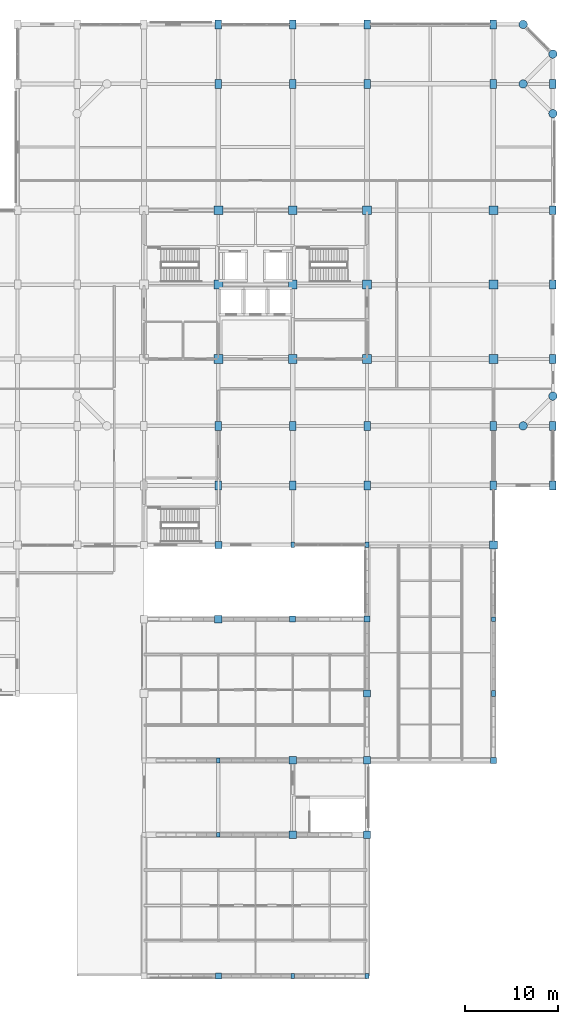
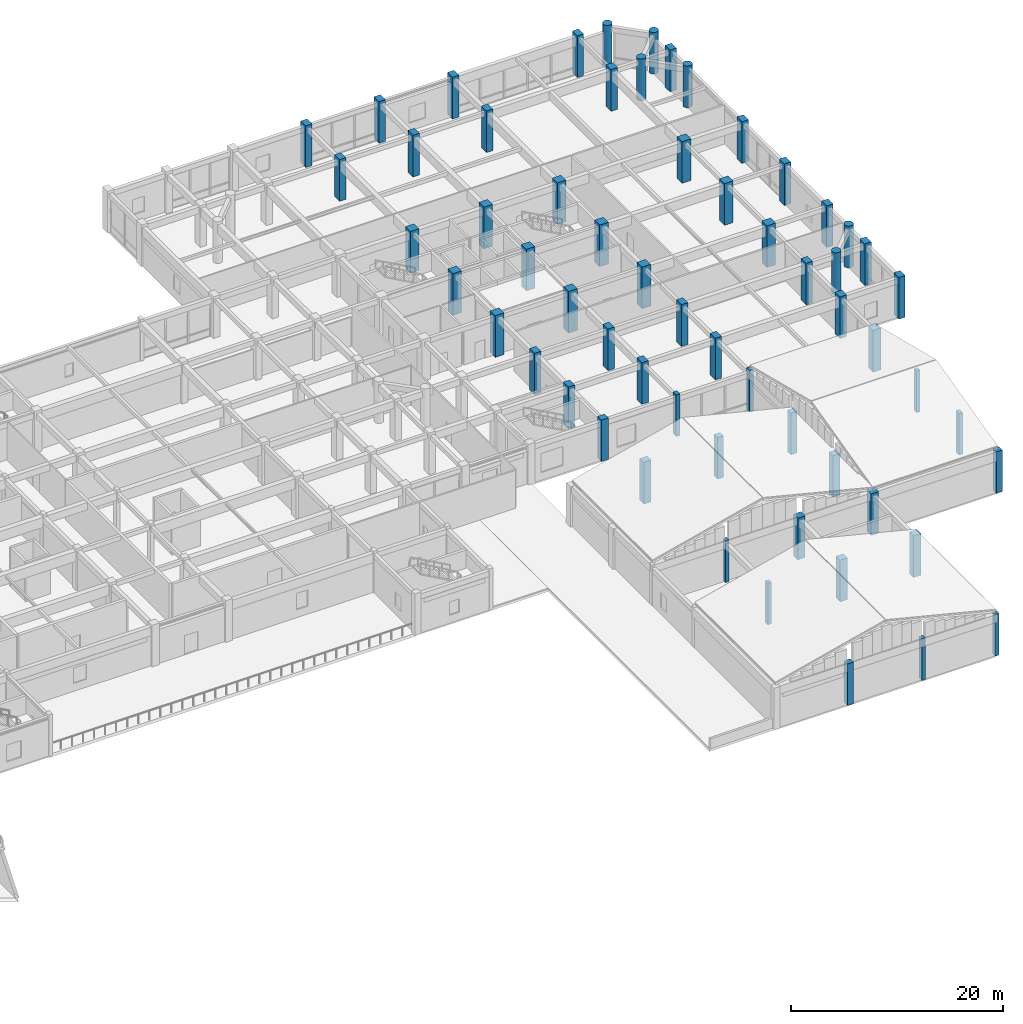
# One storey, part 2 of 61: 60 columns.
"""IFC4 building model written with IfcOpenShell, lengths in metres."""

from ifc_helpers import new_model, si_unit, direction, frame, origin, origin_2d, place, context, subcontext, project, spatial, rectangle, circle, extrude, material, material_profile, profile_set, type_object, element, save


model = new_model("IFC4")

# Units and contexts
model_context = context("Model", 3, precision=1e-05, world=origin(), true_north=direction((0.0, 1.0)))
body_context = subcontext(model_context, "Body", "Model", "MODEL_VIEW")
ifc_project = project(units=[si_unit("LENGTHUNIT", "METRE"), si_unit("AREAUNIT", "SQUARE_METRE"), si_unit("VOLUMEUNIT", "CUBIC_METRE"), si_unit("PLANEANGLEUNIT", "RADIAN"), si_unit("MASSUNIT", "GRAM", prefix="KILO")], contexts=[model_context])

# Site, building, storey
site_placement = place(None, origin())
site = spatial("IfcSite", under=ifc_project, at=site_placement, CompositionType="ELEMENT")
building_placement = place(site_placement, origin())
building = spatial("IfcBuilding", under=site, at=building_placement, Name="Vellmiral Cinema and Media Centre", CompositionType="ELEMENT")
storey_placement = place(building_placement, frame((0.0, 0.0, 10.800048828125)))
storey = spatial("IfcBuildingStorey", under=building, at=storey_placement, Name="L02", CompositionType="ELEMENT", Elevation=10.800048828125)

# Columns
ifc_material_1 = material(Name="Concrete C40/50", Category="concrete")
ifc_material_profile_1 = material_profile(ifc_material_1, rectangle(XDim=0.39990234375, YDim=0.5, at=origin_2d()), Name="RC 400x500")
ifc_profile_set_1 = profile_set([ifc_material_profile_1], Name="Concrete C40/50")
column_type_1 = type_object("IfcColumnType", Name="COL-RC-400x500", PredefinedType="COLUMN", material=ifc_profile_set_1)
for number, where, z_axis, x_axis, name in (
    (1, (132.0, 28.0, 0.0), (0.0, 0.0, 1.0), (1.0, 0.0, 0.0), "Column L02-134"),
    (2, (132.0, 36.0, 0.0), (0.0, 0.0, 1.0), (1.0, 0.0, 0.0), "Column L02-135"),
    (3, (140.0, 12.800048828125, 0.0), (0.0, 0.0, 1.0), (1.0, 0.0, 0.0), "Column L02-145"),
    (4, (148.0, 12.800048828125, 0.0), (0.0, 0.0, 1.0), (1.0, 0.0, 0.0), "Column L02-157"),
    (5, (161.60009765625, 51.199951171875, 0.0), (0.0, 0.0, 1.0), (1.0, 0.0, 0.0), "Column L02-172"),
):
    element("IfcColumn", number, at=place(storey_placement, frame(where, z_axis=z_axis, x_axis=x_axis)), inside=storey, type_object=column_type_1, Name=name, PredefinedType="COLUMN", context=body_context, shape_type="SweptSolid", body=[
        extrude(rectangle(XDim=0.39990234375, YDim=0.5, at=origin_2d()), origin(), (0.0, 0.0, 1.0), 4.800048828125),
    ])
ifc_material_2 = material(Name="Concrete C40/50", Category="concrete")
ifc_material_profile_2 = material_profile(ifc_material_2, rectangle(XDim=0.39990234375, YDim=0.60009765625, at=origin_2d()), Name="RC 400x600")
ifc_profile_set_2 = profile_set([ifc_material_profile_2], Name="Concrete C40/50")
column_type_2 = type_object("IfcColumnType", Name="COL-RC-400x600", PredefinedType="COLUMN", material=ifc_profile_set_2)
for number, where, z_axis, x_axis, name in (
    (6, (140.0, 59.199951171875, 0.0), (0.0, 0.0, 1.0), (1.0, 0.0, 0.0), "Column L02-149"),
    (7, (148.0, 59.199951171875, 0.0), (0.0, 0.0, 1.0), (1.0, 0.0, 0.0), "Column L02-162"),
    (8, (161.60009765625, 43.199951171875, 0.0), (0.0, 0.0, 1.0), (1.0, 0.0, 0.0), "Column L02-171"),
):
    element("IfcColumn", number, at=place(storey_placement, frame(where, z_axis=z_axis, x_axis=x_axis)), inside=storey, type_object=column_type_2, Name=name, PredefinedType="COLUMN", context=body_context, shape_type="SweptSolid", body=[
        extrude(rectangle(XDim=0.39990234375, YDim=0.60009765625, at=origin_2d()), origin(), (0.0, 0.0, 1.0), 4.800048828125),
    ])
ifc_material_3 = material(Name="Concrete C40/50", Category="concrete")
ifc_material_profile_3 = material_profile(ifc_material_3, rectangle(XDim=0.64990234375, YDim=0.64990234375, at=origin_2d()), Name="RC 650x650")
ifc_profile_set_3 = profile_set([ifc_material_profile_3], Name="Concrete C40/50")
column_type_3 = type_object("IfcColumnType", Name="COL-RC-650x650", PredefinedType="COLUMN", material=ifc_profile_set_3)
for number, where, z_axis, x_axis, name in (
    (9, (132.0, 12.800048828125, 0.0), (0.0, 0.0, 1.0), (1.0, 0.0, 0.0), "Column L02-133"),
    (10, (140.0, 51.199951171875, 0.0), (0.0, 0.0, 1.0), (1.0, 0.0, 0.0), "Column L02-148"),
    (11, (148.0, 51.199951171875, 0.0), (0.0, 0.0, 1.0), (1.0, 0.0, 0.0), "Column L02-161"),
    (12, (161.60009765625, 36.0, 0.0), (0.0, 0.0, 1.0), (1.0, 0.0, 0.0), "Column L02-170"),
):
    element("IfcColumn", number, at=place(storey_placement, frame(where, z_axis=z_axis, x_axis=x_axis)), inside=storey, type_object=column_type_3, Name=name, PredefinedType="COLUMN", context=body_context, shape_type="SweptSolid", body=[
        extrude(rectangle(XDim=0.64990234375, YDim=0.64990234375, at=origin_2d()), origin(), (0.0, 0.0, 1.0), 4.800048828125),
    ])
ifc_material_4 = material(Name="Concrete C40/50", Category="concrete")
ifc_material_profile_4 = material_profile(ifc_material_4, rectangle(XDim=0.699951171875, YDim=0.949951171875, at=origin_2d()), Name="RC 700x950")
ifc_profile_set_4 = profile_set([ifc_material_profile_4], Name="Concrete C40/50")
column_type_4 = type_object("IfcColumnType", Name="COL-RC-700x950", PredefinedType="COLUMN", material=ifc_profile_set_4)
for number, where, z_axis, x_axis, name in (
    (13, (132.0, 65.60009765625, 0.0), (0.0, 0.0, 1.0), (1.0, 0.0, 0.0), "Column L02-138"),
    (14, (132.0, 72.0, 0.0), (0.0, 0.0, 1.0), (1.0, 0.0, 0.0), "Column L02-139"),
    (15, (132.0, 108.800048828125, 0.0), (0.0, 0.0, 1.0), (1.0, 0.0, 0.0), "Column L02-143"),
    (16, (132.0, 115.199951171875, 0.0), (0.0, 0.0, 1.0), (1.0, 0.0, 0.0), "Column L02-144"),
    (17, (140.0, 65.60009765625, 0.0), (0.0, 0.0, 1.0), (1.0, 0.0, 0.0), "Column L02-150"),
    (18, (140.0, 72.0, 0.0), (0.0, 0.0, 1.0), (1.0, 0.0, 0.0), "Column L02-151"),
    (19, (140.0, 108.800048828125, 0.0), (0.0, 0.0, 1.0), (1.0, 0.0, 0.0), "Column L02-155"),
    (20, (140.0, 115.199951171875, 0.0), (0.0, 0.0, 1.0), (1.0, 0.0, 0.0), "Column L02-156"),
    (21, (148.0, 65.60009765625, 0.0), (0.0, 0.0, 1.0), (1.0, 0.0, 0.0), "Column L02-163"),
    (22, (148.0, 72.0, 0.0), (0.0, 0.0, 1.0), (1.0, 0.0, 0.0), "Column L02-164"),
    (23, (148.0, 108.800048828125, 0.0), (0.0, 0.0, 1.0), (1.0, 0.0, 0.0), "Column L02-168"),
    (24, (148.0, 115.199951171875, 0.0), (0.0, 0.0, 1.0), (1.0, 0.0, 0.0), "Column L02-169"),
    (25, (161.60009765625, 65.60009765625, 0.0), (0.0, 0.0, 1.0), (1.0, 0.0, 0.0), "Column L02-174"),
    (26, (161.60009765625, 72.0, 0.0), (0.0, 0.0, 1.0), (1.0, 0.0, 0.0), "Column L02-175"),
    (27, (161.60009765625, 108.800048828125, 0.0), (0.0, 0.0, 1.0), (1.0, 0.0, 0.0), "Column L02-179"),
    (28, (161.60009765625, 115.199951171875, 0.0), (0.0, 0.0, 1.0), (1.0, 0.0, 0.0), "Column L02-180"),
    (29, (168.0, 65.60009765625, 0.0), (0.0, 0.0, 1.0), (1.0, 0.0, 0.0), "Column L02-184"),
    (30, (168.0, 72.0, 0.0), (0.0, 0.0, 1.0), (1.0, 0.0, 0.0), "Column L02-185"),
    (31, (168.0, 79.199951171875, 0.0), (0.0, 0.0, 1.0), (1.0, 0.0, 0.0), "Column L02-187"),
    (32, (168.0, 87.199951171875, 0.0), (0.0, 0.0, 1.0), (1.0, 0.0, 0.0), "Column L02-188"),
    (33, (168.0, 95.199951171875, 0.0), (0.0, 0.0, 1.0), (1.0, 0.0, 0.0), "Column L02-189"),
    (34, (168.0, 108.800048828125, 0.0), (0.0, 0.0, 1.0), (1.0, 0.0, 0.0), "Column L02-191"),
):
    element("IfcColumn", number, at=place(storey_placement, frame(where, z_axis=z_axis, x_axis=x_axis)), inside=storey, type_object=column_type_4, Name=name, PredefinedType="COLUMN", context=body_context, shape_type="SweptSolid", body=[
        extrude(rectangle(XDim=0.699951171875, YDim=0.949951171875, at=origin_2d()), origin(), (0.0, 0.0, 1.0), 4.800048828125),
    ])
ifc_material_5 = material(Name="Concrete C40/50", Category="concrete")
ifc_material_profile_5 = material_profile(ifc_material_5, rectangle(XDim=0.75, YDim=0.75, at=origin_2d()), Name="RC 750x750")
ifc_profile_set_5 = profile_set([ifc_material_profile_5], Name="Concrete C40/50")
column_type_5 = type_object("IfcColumnType", Name="COL-RC-750x750", PredefinedType="COLUMN", material=ifc_profile_set_5)
for number, where, z_axis, x_axis, name in (
    (35, (132.0, 59.199951171875, 0.0), (0.0, 0.0, 1.0), (1.0, 0.0, 0.0), "Column L02-137"),
    (36, (148.0, 43.199951171875, 0.0), (0.0, 0.0, 1.0), (1.0, 0.0, 0.0), "Column L02-160"),
):
    element("IfcColumn", number, at=place(storey_placement, frame(where, z_axis=z_axis, x_axis=x_axis)), inside=storey, type_object=column_type_5, Name=name, PredefinedType="COLUMN", context=body_context, shape_type="SweptSolid", body=[
        extrude(rectangle(XDim=0.75, YDim=0.75, at=origin_2d()), origin(), (0.0, 0.0, 1.0), 4.800048828125),
    ])
ifc_material_6 = material(Name="Concrete C40/50", Category="concrete")
ifc_material_profile_6 = material_profile(ifc_material_6, rectangle(XDim=0.800048828125, YDim=0.800048828125, at=origin_2d()), Name="RC 800x800")
ifc_profile_set_6 = profile_set([ifc_material_profile_6], Name="Concrete C40/50")
column_type_6 = type_object("IfcColumnType", Name="COL-RC-800x800", PredefinedType="COLUMN", material=ifc_profile_set_6)
for number, where, z_axis, x_axis, name in (
    (37, (132.0, 51.199951171875, 0.0), (0.0, 0.0, 1.0), (1.0, 0.0, 0.0), "Column L02-136"),
    (38, (140.0, 28.0, 0.0), (0.0, 0.0, 1.0), (1.0, 0.0, 0.0), "Column L02-146"),
    (39, (140.0, 36.0, 0.0), (0.0, 0.0, 1.0), (1.0, 0.0, 0.0), "Column L02-147"),
    (40, (148.0, 28.0, 0.0), (0.0, 0.0, 1.0), (1.0, 0.0, 0.0), "Column L02-158"),
    (41, (148.0, 36.0, 0.0), (0.0, 0.0, 1.0), (1.0, 0.0, 0.0), "Column L02-159"),
):
    element("IfcColumn", number, at=place(storey_placement, frame(where, z_axis=z_axis, x_axis=x_axis)), inside=storey, type_object=column_type_6, Name=name, PredefinedType="COLUMN", context=body_context, shape_type="SweptSolid", body=[
        extrude(rectangle(XDim=0.800048828125, YDim=0.800048828125, at=origin_2d()), origin(), (0.0, 0.0, 1.0), 4.800048828125),
    ])
ifc_material_7 = material(Name="Concrete C40/50", Category="concrete")
ifc_material_profile_7 = material_profile(ifc_material_7, rectangle(XDim=0.85009765625, YDim=0.85009765625, at=origin_2d()), Name="RC 850x850")
ifc_profile_set_7 = profile_set([ifc_material_profile_7], Name="Concrete C40/50")
column_type_7 = type_object("IfcColumnType", Name="COL-RC-850x850", PredefinedType="COLUMN", material=ifc_profile_set_7)
column_placement = place(storey_placement, frame((161.60009765625, 59.199951171875, 0.0), z_axis=(0.0, 0.0, 1.0), x_axis=(1.0, 0.0, 0.0)))
element("IfcColumn", 42, at=column_placement, inside=storey, type_object=column_type_7, Name="Column L02-173", PredefinedType="COLUMN", context=body_context, shape_type="SweptSolid", body=[
    extrude(rectangle(XDim=0.85009765625, YDim=0.85009765625, at=origin_2d()), origin(), (0.0, 0.0, 1.0), 4.800048828125),
])
ifc_material_8 = material(Name="Concrete C40/50", Category="concrete")
ifc_material_profile_8 = material_profile(ifc_material_8, rectangle(XDim=0.949951171875, YDim=0.949951171875, at=origin_2d()), Name="RC 950x950")
ifc_profile_set_8 = profile_set([ifc_material_profile_8], Name="Concrete C40/50")
column_type_8 = type_object("IfcColumnType", Name="COL-RC-950x950", PredefinedType="COLUMN", material=ifc_profile_set_8)
for number, where, z_axis, x_axis, name in (
    (43, (132.0, 79.199951171875, 0.0), (0.0, 0.0, 1.0), (1.0, 0.0, 0.0), "Column L02-140"),
    (44, (132.0, 87.199951171875, 0.0), (0.0, 0.0, 1.0), (1.0, 0.0, 0.0), "Column L02-141"),
    (45, (132.0, 95.199951171875, 0.0), (0.0, 0.0, 1.0), (1.0, 0.0, 0.0), "Column L02-142"),
    (46, (140.0, 79.199951171875, 0.0), (0.0, 0.0, 1.0), (1.0, 0.0, 0.0), "Column L02-152"),
    (47, (140.0, 87.199951171875, 0.0), (0.0, 0.0, 1.0), (1.0, 0.0, 0.0), "Column L02-153"),
    (48, (140.0, 95.199951171875, 0.0), (0.0, 0.0, 1.0), (1.0, 0.0, 0.0), "Column L02-154"),
    (49, (148.0, 79.199951171875, 0.0), (0.0, 0.0, 1.0), (1.0, 0.0, 0.0), "Column L02-165"),
    (50, (148.0, 87.199951171875, 0.0), (0.0, 0.0, 1.0), (1.0, 0.0, 0.0), "Column L02-166"),
    (51, (148.0, 95.199951171875, 0.0), (0.0, 0.0, 1.0), (1.0, 0.0, 0.0), "Column L02-167"),
    (52, (161.60009765625, 79.199951171875, 0.0), (0.0, 0.0, 1.0), (1.0, 0.0, 0.0), "Column L02-176"),
    (53, (161.60009765625, 87.199951171875, 0.0), (0.0, 0.0, 1.0), (1.0, 0.0, 0.0), "Column L02-177"),
    (54, (161.60009765625, 95.199951171875, 0.0), (0.0, 0.0, 1.0), (1.0, 0.0, 0.0), "Column L02-178"),
):
    element("IfcColumn", number, at=place(storey_placement, frame(where, z_axis=z_axis, x_axis=x_axis)), inside=storey, type_object=column_type_8, Name=name, PredefinedType="COLUMN", context=body_context, shape_type="SweptSolid", body=[
        extrude(rectangle(XDim=0.949951171875, YDim=0.949951171875, at=origin_2d()), origin(), (0.0, 0.0, 1.0), 4.800048828125),
    ])
ifc_material_9 = material(Name="Concrete C40/50", Category="concrete")
ifc_material_profile_9 = material_profile(ifc_material_9, circle(Radius=0.449951171875, at=origin_2d()), Name="RC D900")
ifc_profile_set_9 = profile_set([ifc_material_profile_9], Name="Concrete C40/50")
column_type_9 = type_object("IfcColumnType", Name="COL-RCC-D900", PredefinedType="COLUMN", material=ifc_profile_set_9)
for number, where, z_axis, x_axis, name in (
    (55, (164.800048828125, 72.0, 0.0), (0.0, 0.0, 1.0), (1.0, 0.0, 0.0), "Column L02-181"),
    (56, (164.800048828125, 108.800048828125, 0.0), (0.0, 0.0, 1.0), (1.0, 0.0, 0.0), "Column L02-182"),
    (57, (164.800048828125, 115.199951171875, 0.0), (0.0, 0.0, 1.0), (1.0, 0.0, 0.0), "Column L02-183"),
    (58, (168.0, 75.199951171875, 0.0), (0.0, 0.0, 1.0), (1.0, 0.0, 0.0), "Column L02-186"),
    (59, (168.0, 105.60009765625, 0.0), (0.0, 0.0, 1.0), (1.0, 0.0, 0.0), "Column L02-190"),
    (60, (168.0, 112.0, 0.0), (0.0, 0.0, 1.0), (1.0, 0.0, 0.0), "Column L02-192"),
):
    element("IfcColumn", number, at=place(storey_placement, frame(where, z_axis=z_axis, x_axis=x_axis)), inside=storey, type_object=column_type_9, Name=name, PredefinedType="COLUMN", context=body_context, shape_type="SweptSolid", body=[
        extrude(circle(Radius=0.449951171875, at=origin_2d()), origin(), (0.0, 0.0, 1.0), 4.800048828125),
    ])

save(model, "model.ifc")
